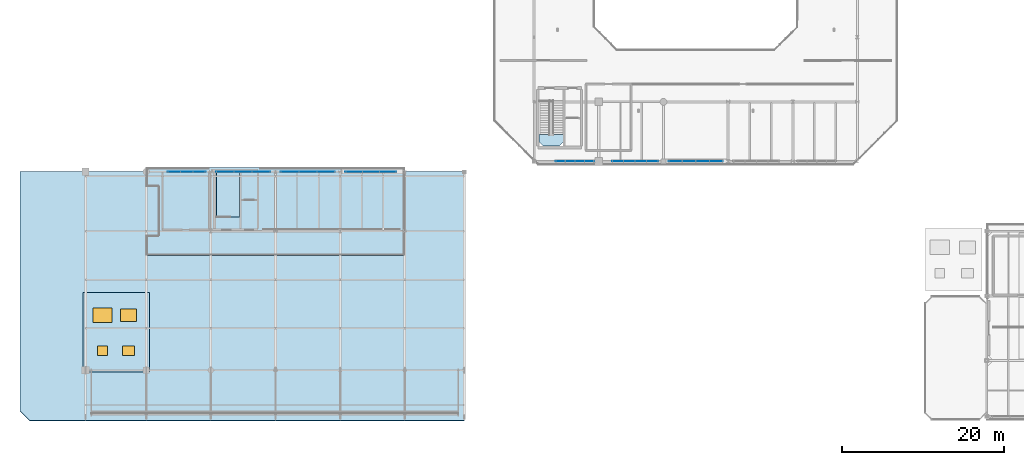
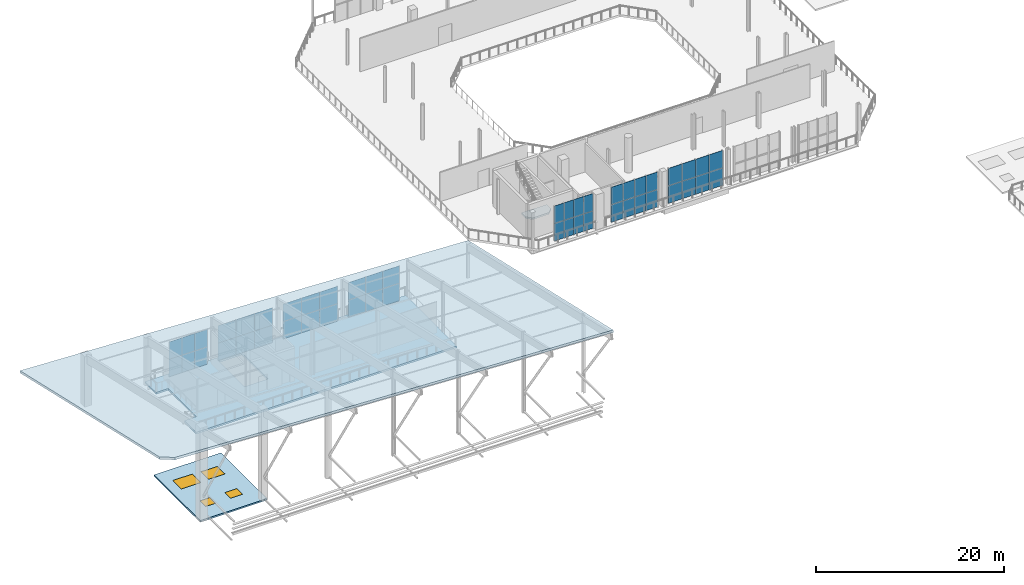
# One storey, part 28 of 51: 48 plates, 4 slabs, 4 windows, 4 openings, 8 elements without a shape of their own.
"""IFC4 building model written with IfcOpenShell, lengths in metres."""

from ifc_helpers import new_model, si_unit, direction, frame, origin, origin_2d, place, context, subcontext, project, spatial, polyline, rectangle, outline, extrude, material, layer, layer_set, type_object, element, fill, aggregate, save


model = new_model("IFC4")

# Units and contexts
model_context = context("Model", 3, precision=1e-05, world=origin(), true_north=direction((0.0, 1.0)))
body_context = subcontext(model_context, "Body", "Model", "MODEL_VIEW")
ifc_project = project(units=[si_unit("LENGTHUNIT", "METRE"), si_unit("AREAUNIT", "SQUARE_METRE"), si_unit("VOLUMEUNIT", "CUBIC_METRE"), si_unit("PLANEANGLEUNIT", "RADIAN"), si_unit("MASSUNIT", "GRAM", prefix="KILO")], contexts=[model_context])

# Site, building, storey
site_placement = place(None, origin())
site = spatial("IfcSite", under=ifc_project, at=site_placement, CompositionType="ELEMENT")
building_placement = place(site_placement, origin())
building = spatial("IfcBuilding", under=site, at=building_placement, Name="Brisemont Oceanarium", CompositionType="ELEMENT")
storey_placement = place(building_placement, frame((0.0, 0.0, 15.0)))
storey = spatial("IfcBuildingStorey", under=building, at=storey_placement, Name="L03", CompositionType="ELEMENT", Elevation=15.0)

# Curtain wall, plates
ifc_material_1 = material(Name="Anodized Extruded Aluminum 6063-T6", Category="aluminium")
curtain_wall_type_1 = type_object("IfcCurtainWallType", Name="CW-CLR-58X36", PredefinedType="NOTDEFINED", material=ifc_material_1)
curtain_wall_1_placement = place(storey_placement, origin())
curtain_wall_1 = element("IfcCurtainWall", 1, at=curtain_wall_1_placement, inside=storey, type_object=curtain_wall_type_1, Name="CW-21 curtain wall CW-V2-N-L03-01", PredefinedType="NOTDEFINED")
ifc_material_2 = material(Name="Ceramic-Fritted Spandrel Glass", Category="glass")
ifc_layer_1 = layer(ifc_material_2, 0.030029296875)
ifc_layer_set_1 = layer_set([ifc_layer_1], Name="Ceramic-Fritted Spandrel Glass")
plate_type_1 = type_object("IfcPlateType", Name="PLT-CWP-S3", PredefinedType="CURTAIN_PANEL", material=ifc_layer_set_1)
plate_1_placement = place(storey_placement, frame((19.433349609375, 31.35009765625, 0.00146484375), z_axis=(0.0, 0.0, 1.0), x_axis=(1.0, 0.0, 0.0)))
plate_1 = element("IfcPlate", 2, at=plate_1_placement, type_object=plate_type_1, Name="CW-V2-N-L03-01 panel 1.1", PredefinedType="CURTAIN_PANEL", context=body_context, shape_type="SweptSolid", body=[
    extrude(rectangle(XDim=1.563720703125, YDim=0.030029296875, at=origin_2d()), origin(), (0.0, 0.0, 1.0), 2.257080078125),
])
plate_2_placement = place(storey_placement, frame((19.433349609375, 31.35009765625, 2.26123046875), z_axis=(0.0, 0.0, 1.0), x_axis=(1.0, 0.0, 0.0)))
plate_2 = element("IfcPlate", 3, at=plate_2_placement, type_object=plate_type_1, Name="CW-V2-N-L03-01 panel 1.2", PredefinedType="CURTAIN_PANEL", context=body_context, shape_type="SweptSolid", body=[
    extrude(rectangle(XDim=1.563720703125, YDim=0.030029296875, at=origin_2d()), origin(), (0.0, 0.0, 1.0), 2.257080078125),
])
plate_3_placement = place(storey_placement, frame((21.0, 31.35009765625, 0.00146484375), z_axis=(0.0, 0.0, 1.0), x_axis=(1.0, 0.0, 0.0)))
plate_3 = element("IfcPlate", 4, at=plate_3_placement, type_object=plate_type_1, Name="CW-V2-N-L03-01 panel 2.1", PredefinedType="CURTAIN_PANEL", context=body_context, shape_type="SweptSolid", body=[
    extrude(rectangle(XDim=1.563720703125, YDim=0.030029296875, at=origin_2d()), origin(), (0.0, 0.0, 1.0), 2.257080078125),
])
plate_4_placement = place(storey_placement, frame((21.0, 31.35009765625, 2.26123046875), z_axis=(0.0, 0.0, 1.0), x_axis=(1.0, 0.0, 0.0)))
plate_4 = element("IfcPlate", 5, at=plate_4_placement, type_object=plate_type_1, Name="CW-V2-N-L03-01 panel 2.2", PredefinedType="CURTAIN_PANEL", context=body_context, shape_type="SweptSolid", body=[
    extrude(rectangle(XDim=1.563720703125, YDim=0.030029296875, at=origin_2d()), origin(), (0.0, 0.0, 1.0), 2.257080078125),
])
plate_5_placement = place(storey_placement, frame((22.566650390625, 31.35009765625, 0.00146484375), z_axis=(0.0, 0.0, 1.0), x_axis=(1.0, 0.0, 0.0)))
plate_5 = element("IfcPlate", 6, at=plate_5_placement, type_object=plate_type_1, Name="CW-V2-N-L03-01 panel 3.1", PredefinedType="CURTAIN_PANEL", context=body_context, shape_type="SweptSolid", body=[
    extrude(rectangle(XDim=1.563720703125, YDim=0.030029296875, at=origin_2d()), origin(), (0.0, 0.0, 1.0), 2.257080078125),
])
plate_6_placement = place(storey_placement, frame((22.566650390625, 31.35009765625, 2.26123046875), z_axis=(0.0, 0.0, 1.0), x_axis=(1.0, 0.0, 0.0)))
plate_6 = element("IfcPlate", 7, at=plate_6_placement, type_object=plate_type_1, Name="CW-V2-N-L03-01 panel 3.2", PredefinedType="CURTAIN_PANEL", context=body_context, shape_type="SweptSolid", body=[
    extrude(rectangle(XDim=1.563720703125, YDim=0.030029296875, at=origin_2d()), origin(), (0.0, 0.0, 1.0), 2.257080078125),
])
aggregate(curtain_wall_1, [plate_1, plate_2, plate_3, plate_4, plate_5, plate_6])

curtain_wall_2_placement = place(storey_placement, origin())
curtain_wall_2 = element("IfcCurtainWall", 8, at=curtain_wall_2_placement, inside=storey, type_object=curtain_wall_type_1, Name="CW-21 curtain wall CW-V2-N-L03-02", PredefinedType="NOTDEFINED")
plate_7_placement = place(storey_placement, frame((25.7666015625, 31.35009765625, 0.00146484375), z_axis=(0.0, 0.0, 1.0), x_axis=(1.0, 0.0, 0.0)))
plate_7 = element("IfcPlate", 9, at=plate_7_placement, type_object=plate_type_1, Name="CW-V2-N-L03-02 panel 1.1", PredefinedType="CURTAIN_PANEL", context=body_context, shape_type="SweptSolid", body=[
    extrude(rectangle(XDim=2.230224609375, YDim=0.030029296875, at=origin_2d()), origin(), (0.0, 0.0, 1.0), 2.257080078125),
])
plate_8_placement = place(storey_placement, frame((25.7666015625, 31.35009765625, 2.26123046875), z_axis=(0.0, 0.0, 1.0), x_axis=(1.0, 0.0, 0.0)))
plate_8 = element("IfcPlate", 10, at=plate_8_placement, type_object=plate_type_1, Name="CW-V2-N-L03-02 panel 1.2", PredefinedType="CURTAIN_PANEL", context=body_context, shape_type="SweptSolid", body=[
    extrude(rectangle(XDim=2.230224609375, YDim=0.030029296875, at=origin_2d()), origin(), (0.0, 0.0, 1.0), 2.257080078125),
])
plate_9_placement = place(storey_placement, frame((28.0, 31.35009765625, 0.00146484375), z_axis=(0.0, 0.0, 1.0), x_axis=(1.0, 0.0, 0.0)))
plate_9 = element("IfcPlate", 11, at=plate_9_placement, type_object=plate_type_1, Name="CW-V2-N-L03-02 panel 2.1", PredefinedType="CURTAIN_PANEL", context=body_context, shape_type="SweptSolid", body=[
    extrude(rectangle(XDim=2.230224609375, YDim=0.030029296875, at=origin_2d()), origin(), (0.0, 0.0, 1.0), 2.257080078125),
])
plate_10_placement = place(storey_placement, frame((28.0, 31.35009765625, 2.26123046875), z_axis=(0.0, 0.0, 1.0), x_axis=(1.0, 0.0, 0.0)))
plate_10 = element("IfcPlate", 12, at=plate_10_placement, type_object=plate_type_1, Name="CW-V2-N-L03-02 panel 2.2", PredefinedType="CURTAIN_PANEL", context=body_context, shape_type="SweptSolid", body=[
    extrude(rectangle(XDim=2.230224609375, YDim=0.030029296875, at=origin_2d()), origin(), (0.0, 0.0, 1.0), 2.257080078125),
])
plate_11_placement = place(storey_placement, frame((30.2333984375, 31.35009765625, 0.00146484375), z_axis=(0.0, 0.0, 1.0), x_axis=(1.0, 0.0, 0.0)))
plate_11 = element("IfcPlate", 13, at=plate_11_placement, type_object=plate_type_1, Name="CW-V2-N-L03-02 panel 3.1", PredefinedType="CURTAIN_PANEL", context=body_context, shape_type="SweptSolid", body=[
    extrude(rectangle(XDim=2.230224609375, YDim=0.030029296875, at=origin_2d()), origin(), (0.0, 0.0, 1.0), 2.257080078125),
])
plate_12_placement = place(storey_placement, frame((30.2333984375, 31.35009765625, 2.26123046875), z_axis=(0.0, 0.0, 1.0), x_axis=(1.0, 0.0, 0.0)))
plate_12 = element("IfcPlate", 14, at=plate_12_placement, type_object=plate_type_1, Name="CW-V2-N-L03-02 panel 3.2", PredefinedType="CURTAIN_PANEL", context=body_context, shape_type="SweptSolid", body=[
    extrude(rectangle(XDim=2.230224609375, YDim=0.030029296875, at=origin_2d()), origin(), (0.0, 0.0, 1.0), 2.257080078125),
])
aggregate(curtain_wall_2, [plate_7, plate_8, plate_9, plate_10, plate_11, plate_12])

curtain_wall_3_placement = place(storey_placement, origin())
curtain_wall_3 = element("IfcCurtainWall", 15, at=curtain_wall_3_placement, inside=storey, type_object=curtain_wall_type_1, Name="CW-21 curtain wall CW-V2-N-L03-03", PredefinedType="NOTDEFINED")
plate_13_placement = place(storey_placement, frame((33.7666015625, 31.35009765625, 0.00146484375), z_axis=(0.0, 0.0, 1.0), x_axis=(1.0, 0.0, 0.0)))
plate_13 = element("IfcPlate", 16, at=plate_13_placement, type_object=plate_type_1, Name="CW-V2-N-L03-03 panel 1.1", PredefinedType="CURTAIN_PANEL", context=body_context, shape_type="SweptSolid", body=[
    extrude(rectangle(XDim=2.230224609375, YDim=0.030029296875, at=origin_2d()), origin(), (0.0, 0.0, 1.0), 2.257080078125),
])
plate_14_placement = place(storey_placement, frame((33.7666015625, 31.35009765625, 2.26123046875), z_axis=(0.0, 0.0, 1.0), x_axis=(1.0, 0.0, 0.0)))
plate_14 = element("IfcPlate", 17, at=plate_14_placement, type_object=plate_type_1, Name="CW-V2-N-L03-03 panel 1.2", PredefinedType="CURTAIN_PANEL", context=body_context, shape_type="SweptSolid", body=[
    extrude(rectangle(XDim=2.230224609375, YDim=0.030029296875, at=origin_2d()), origin(), (0.0, 0.0, 1.0), 2.257080078125),
])
plate_15_placement = place(storey_placement, frame((36.0, 31.35009765625, 0.00146484375), z_axis=(0.0, 0.0, 1.0), x_axis=(1.0, 0.0, 0.0)))
plate_15 = element("IfcPlate", 18, at=plate_15_placement, type_object=plate_type_1, Name="CW-V2-N-L03-03 panel 2.1", PredefinedType="CURTAIN_PANEL", context=body_context, shape_type="SweptSolid", body=[
    extrude(rectangle(XDim=2.230224609375, YDim=0.030029296875, at=origin_2d()), origin(), (0.0, 0.0, 1.0), 2.257080078125),
])
plate_16_placement = place(storey_placement, frame((36.0, 31.35009765625, 2.26123046875), z_axis=(0.0, 0.0, 1.0), x_axis=(1.0, 0.0, 0.0)))
plate_16 = element("IfcPlate", 19, at=plate_16_placement, type_object=plate_type_1, Name="CW-V2-N-L03-03 panel 2.2", PredefinedType="CURTAIN_PANEL", context=body_context, shape_type="SweptSolid", body=[
    extrude(rectangle(XDim=2.230224609375, YDim=0.030029296875, at=origin_2d()), origin(), (0.0, 0.0, 1.0), 2.257080078125),
])
plate_17_placement = place(storey_placement, frame((38.2333984375, 31.35009765625, 0.00146484375), z_axis=(0.0, 0.0, 1.0), x_axis=(1.0, 0.0, 0.0)))
plate_17 = element("IfcPlate", 20, at=plate_17_placement, type_object=plate_type_1, Name="CW-V2-N-L03-03 panel 3.1", PredefinedType="CURTAIN_PANEL", context=body_context, shape_type="SweptSolid", body=[
    extrude(rectangle(XDim=2.230224609375, YDim=0.030029296875, at=origin_2d()), origin(), (0.0, 0.0, 1.0), 2.257080078125),
])
plate_18_placement = place(storey_placement, frame((38.2333984375, 31.35009765625, 2.26123046875), z_axis=(0.0, 0.0, 1.0), x_axis=(1.0, 0.0, 0.0)))
plate_18 = element("IfcPlate", 21, at=plate_18_placement, type_object=plate_type_1, Name="CW-V2-N-L03-03 panel 3.2", PredefinedType="CURTAIN_PANEL", context=body_context, shape_type="SweptSolid", body=[
    extrude(rectangle(XDim=2.230224609375, YDim=0.030029296875, at=origin_2d()), origin(), (0.0, 0.0, 1.0), 2.257080078125),
])
aggregate(curtain_wall_3, [plate_13, plate_14, plate_15, plate_16, plate_17, plate_18])

curtain_wall_4_placement = place(storey_placement, origin())
curtain_wall_4 = element("IfcCurtainWall", 22, at=curtain_wall_4_placement, inside=storey, type_object=curtain_wall_type_1, Name="CW-21 curtain wall CW-V2-N-L03-04", PredefinedType="NOTDEFINED")
plate_19_placement = place(storey_placement, frame((41.699951171875, 31.35009765625, 0.00146484375), z_axis=(0.0, 0.0, 1.0), x_axis=(1.0, 0.0, 0.0)))
plate_19 = element("IfcPlate", 23, at=plate_19_placement, type_object=plate_type_1, Name="CW-V2-N-L03-04 panel 1.1", PredefinedType="CURTAIN_PANEL", context=body_context, shape_type="SweptSolid", body=[
    extrude(rectangle(XDim=2.096923828125, YDim=0.030029296875, at=origin_2d()), origin(), (0.0, 0.0, 1.0), 2.257080078125),
])
plate_20_placement = place(storey_placement, frame((41.699951171875, 31.35009765625, 2.26123046875), z_axis=(0.0, 0.0, 1.0), x_axis=(1.0, 0.0, 0.0)))
plate_20 = element("IfcPlate", 24, at=plate_20_placement, type_object=plate_type_1, Name="CW-V2-N-L03-04 panel 1.2", PredefinedType="CURTAIN_PANEL", context=body_context, shape_type="SweptSolid", body=[
    extrude(rectangle(XDim=2.096923828125, YDim=0.030029296875, at=origin_2d()), origin(), (0.0, 0.0, 1.0), 2.257080078125),
])
plate_21_placement = place(storey_placement, frame((43.800048828125, 31.35009765625, 0.00146484375), z_axis=(0.0, 0.0, 1.0), x_axis=(1.0, 0.0, 0.0)))
plate_21 = element("IfcPlate", 25, at=plate_21_placement, type_object=plate_type_1, Name="CW-V2-N-L03-04 panel 2.1", PredefinedType="CURTAIN_PANEL", context=body_context, shape_type="SweptSolid", body=[
    extrude(rectangle(XDim=2.096923828125, YDim=0.030029296875, at=origin_2d()), origin(), (0.0, 0.0, 1.0), 2.257080078125),
])
plate_22_placement = place(storey_placement, frame((43.800048828125, 31.35009765625, 2.26123046875), z_axis=(0.0, 0.0, 1.0), x_axis=(1.0, 0.0, 0.0)))
plate_22 = element("IfcPlate", 26, at=plate_22_placement, type_object=plate_type_1, Name="CW-V2-N-L03-04 panel 2.2", PredefinedType="CURTAIN_PANEL", context=body_context, shape_type="SweptSolid", body=[
    extrude(rectangle(XDim=2.096923828125, YDim=0.030029296875, at=origin_2d()), origin(), (0.0, 0.0, 1.0), 2.257080078125),
])
plate_23_placement = place(storey_placement, frame((45.89990234375, 31.35009765625, 0.00146484375), z_axis=(0.0, 0.0, 1.0), x_axis=(1.0, 0.0, 0.0)))
plate_23 = element("IfcPlate", 27, at=plate_23_placement, type_object=plate_type_1, Name="CW-V2-N-L03-04 panel 3.1", PredefinedType="CURTAIN_PANEL", context=body_context, shape_type="SweptSolid", body=[
    extrude(rectangle(XDim=2.096923828125, YDim=0.030029296875, at=origin_2d()), origin(), (0.0, 0.0, 1.0), 2.257080078125),
])
plate_24_placement = place(storey_placement, frame((45.89990234375, 31.35009765625, 2.26123046875), z_axis=(0.0, 0.0, 1.0), x_axis=(1.0, 0.0, 0.0)))
plate_24 = element("IfcPlate", 28, at=plate_24_placement, type_object=plate_type_1, Name="CW-V2-N-L03-04 panel 3.2", PredefinedType="CURTAIN_PANEL", context=body_context, shape_type="SweptSolid", body=[
    extrude(rectangle(XDim=2.096923828125, YDim=0.030029296875, at=origin_2d()), origin(), (0.0, 0.0, 1.0), 2.257080078125),
])
aggregate(curtain_wall_4, [plate_19, plate_20, plate_21, plate_22, plate_23, plate_24])

ifc_material_3 = material(Name="Anodized Extruded Aluminum 6063-T6", Category="aluminium")
curtain_wall_type_2 = type_object("IfcCurtainWallType", Name="CW-ROT-69X44", PredefinedType="NOTDEFINED", material=ifc_material_3)
curtain_wall_5_placement = place(storey_placement, origin())
curtain_wall_5 = element("IfcCurtainWall", 29, at=curtain_wall_5_placement, inside=storey, type_object=curtain_wall_type_2, Name="CW-03 curtain wall CW-V1-S-L03-01", PredefinedType="NOTDEFINED")
ifc_material_4 = material(Name="Insulated Low-E Laminated Glass", Category="glass")
ifc_layer_2 = layer(ifc_material_4, 0.028076171875)
ifc_layer_set_2 = layer_set([ifc_layer_2], Name="Insulated Low-E Laminated Glass")
plate_type_2 = type_object("IfcPlateType", Name="PLT-CWP-V3", PredefinedType="CURTAIN_PANEL", material=ifc_layer_set_2)
plate_25_placement = place(storey_placement, frame((67.246337890625, 32.64990234375, 0.00146484375), z_axis=(0.0, 0.0, 1.0), x_axis=(1.0, 0.0, 0.0)))
plate_25 = element("IfcPlate", 30, at=plate_25_placement, type_object=plate_type_2, Name="CW-V1-S-L03-01 panel 1.1", PredefinedType="CURTAIN_PANEL", context=body_context, shape_type="SweptSolid", body=[
    extrude(rectangle(XDim=1.189453125, YDim=0.028076171875, at=origin_2d()), origin(), (0.0, 0.0, 1.0), 2.26708984375),
])
plate_26_placement = place(storey_placement, frame((67.246337890625, 32.64990234375, 2.271484375), z_axis=(0.0, 0.0, 1.0), x_axis=(1.0, 0.0, 0.0)))
plate_26 = element("IfcPlate", 31, at=plate_26_placement, type_object=plate_type_2, Name="CW-V1-S-L03-01 panel 1.2", PredefinedType="CURTAIN_PANEL", context=body_context, shape_type="SweptSolid", body=[
    extrude(rectangle(XDim=1.189453125, YDim=0.028076171875, at=origin_2d()), origin(), (0.0, 0.0, 1.0), 2.26708984375),
])
plate_27_placement = place(storey_placement, frame((68.438720703125, 32.64990234375, 0.00146484375), z_axis=(0.0, 0.0, 1.0), x_axis=(1.0, 0.0, 0.0)))
plate_27 = element("IfcPlate", 32, at=plate_27_placement, type_object=plate_type_2, Name="CW-V1-S-L03-01 panel 2.1", PredefinedType="CURTAIN_PANEL", context=body_context, shape_type="SweptSolid", body=[
    extrude(rectangle(XDim=1.189453125, YDim=0.028076171875, at=origin_2d()), origin(), (0.0, 0.0, 1.0), 2.26708984375),
])
plate_28_placement = place(storey_placement, frame((68.438720703125, 32.64990234375, 2.271484375), z_axis=(0.0, 0.0, 1.0), x_axis=(1.0, 0.0, 0.0)))
plate_28 = element("IfcPlate", 33, at=plate_28_placement, type_object=plate_type_2, Name="CW-V1-S-L03-01 panel 2.2", PredefinedType="CURTAIN_PANEL", context=body_context, shape_type="SweptSolid", body=[
    extrude(rectangle(XDim=1.189453125, YDim=0.028076171875, at=origin_2d()), origin(), (0.0, 0.0, 1.0), 2.26708984375),
])
plate_29_placement = place(storey_placement, frame((69.63134765625, 32.64990234375, 0.00146484375), z_axis=(0.0, 0.0, 1.0), x_axis=(1.0, 0.0, 0.0)))
plate_29 = element("IfcPlate", 34, at=plate_29_placement, type_object=plate_type_2, Name="CW-V1-S-L03-01 panel 3.1", PredefinedType="CURTAIN_PANEL", context=body_context, shape_type="SweptSolid", body=[
    extrude(rectangle(XDim=1.189453125, YDim=0.028076171875, at=origin_2d()), origin(), (0.0, 0.0, 1.0), 2.26708984375),
])
plate_30_placement = place(storey_placement, frame((69.63134765625, 32.64990234375, 2.271484375), z_axis=(0.0, 0.0, 1.0), x_axis=(1.0, 0.0, 0.0)))
plate_30 = element("IfcPlate", 35, at=plate_30_placement, type_object=plate_type_2, Name="CW-V1-S-L03-01 panel 3.2", PredefinedType="CURTAIN_PANEL", context=body_context, shape_type="SweptSolid", body=[
    extrude(rectangle(XDim=1.189453125, YDim=0.028076171875, at=origin_2d()), origin(), (0.0, 0.0, 1.0), 2.26708984375),
])
plate_31_placement = place(storey_placement, frame((70.82373046875, 32.64990234375, 0.00146484375), z_axis=(0.0, 0.0, 1.0), x_axis=(1.0, 0.0, 0.0)))
plate_31 = element("IfcPlate", 36, at=plate_31_placement, type_object=plate_type_2, Name="CW-V1-S-L03-01 panel 4.1", PredefinedType="CURTAIN_PANEL", context=body_context, shape_type="SweptSolid", body=[
    extrude(rectangle(XDim=1.189453125, YDim=0.028076171875, at=origin_2d()), origin(), (0.0, 0.0, 1.0), 2.26708984375),
])
plate_32_placement = place(storey_placement, frame((70.82373046875, 32.64990234375, 2.271484375), z_axis=(0.0, 0.0, 1.0), x_axis=(1.0, 0.0, 0.0)))
plate_32 = element("IfcPlate", 37, at=plate_32_placement, type_object=plate_type_2, Name="CW-V1-S-L03-01 panel 4.2", PredefinedType="CURTAIN_PANEL", context=body_context, shape_type="SweptSolid", body=[
    extrude(rectangle(XDim=1.189453125, YDim=0.028076171875, at=origin_2d()), origin(), (0.0, 0.0, 1.0), 2.26708984375),
])
aggregate(curtain_wall_5, [plate_25, plate_26, plate_27, plate_28, plate_29, plate_30, plate_31, plate_32])

curtain_wall_6_placement = place(storey_placement, origin())
curtain_wall_6 = element("IfcCurtainWall", 38, at=curtain_wall_6_placement, inside=storey, type_object=curtain_wall_type_2, Name="CW-03 curtain wall CW-V1-S-L03-02", PredefinedType="NOTDEFINED")
plate_33_placement = place(storey_placement, frame((74.362548828125, 32.64990234375, 0.00146484375), z_axis=(0.0, 0.0, 1.0), x_axis=(1.0, 0.0, 0.0)))
plate_33 = element("IfcPlate", 39, at=plate_33_placement, type_object=plate_type_2, Name="CW-V1-S-L03-02 panel 1.1", PredefinedType="CURTAIN_PANEL", context=body_context, shape_type="SweptSolid", body=[
    extrude(rectangle(XDim=1.422119140625, YDim=0.028076171875, at=origin_2d()), origin(), (0.0, 0.0, 1.0), 2.26708984375),
])
plate_34_placement = place(storey_placement, frame((74.362548828125, 32.64990234375, 2.271484375), z_axis=(0.0, 0.0, 1.0), x_axis=(1.0, 0.0, 0.0)))
plate_34 = element("IfcPlate", 40, at=plate_34_placement, type_object=plate_type_2, Name="CW-V1-S-L03-02 panel 1.2", PredefinedType="CURTAIN_PANEL", context=body_context, shape_type="SweptSolid", body=[
    extrude(rectangle(XDim=1.422119140625, YDim=0.028076171875, at=origin_2d()), origin(), (0.0, 0.0, 1.0), 2.26708984375),
])
plate_35_placement = place(storey_placement, frame((75.78759765625, 32.64990234375, 0.00146484375), z_axis=(0.0, 0.0, 1.0), x_axis=(1.0, 0.0, 0.0)))
plate_35 = element("IfcPlate", 41, at=plate_35_placement, type_object=plate_type_2, Name="CW-V1-S-L03-02 panel 2.1", PredefinedType="CURTAIN_PANEL", context=body_context, shape_type="SweptSolid", body=[
    extrude(rectangle(XDim=1.422119140625, YDim=0.028076171875, at=origin_2d()), origin(), (0.0, 0.0, 1.0), 2.26708984375),
])
plate_36_placement = place(storey_placement, frame((75.78759765625, 32.64990234375, 2.271484375), z_axis=(0.0, 0.0, 1.0), x_axis=(1.0, 0.0, 0.0)))
plate_36 = element("IfcPlate", 42, at=plate_36_placement, type_object=plate_type_2, Name="CW-V1-S-L03-02 panel 2.2", PredefinedType="CURTAIN_PANEL", context=body_context, shape_type="SweptSolid", body=[
    extrude(rectangle(XDim=1.422119140625, YDim=0.028076171875, at=origin_2d()), origin(), (0.0, 0.0, 1.0), 2.26708984375),
])
plate_37_placement = place(storey_placement, frame((77.21240234375, 32.64990234375, 0.00146484375), z_axis=(0.0, 0.0, 1.0), x_axis=(1.0, 0.0, 0.0)))
plate_37 = element("IfcPlate", 43, at=plate_37_placement, type_object=plate_type_2, Name="CW-V1-S-L03-02 panel 3.1", PredefinedType="CURTAIN_PANEL", context=body_context, shape_type="SweptSolid", body=[
    extrude(rectangle(XDim=1.422119140625, YDim=0.028076171875, at=origin_2d()), origin(), (0.0, 0.0, 1.0), 2.26708984375),
])
plate_38_placement = place(storey_placement, frame((77.21240234375, 32.64990234375, 2.271484375), z_axis=(0.0, 0.0, 1.0), x_axis=(1.0, 0.0, 0.0)))
plate_38 = element("IfcPlate", 44, at=plate_38_placement, type_object=plate_type_2, Name="CW-V1-S-L03-02 panel 3.2", PredefinedType="CURTAIN_PANEL", context=body_context, shape_type="SweptSolid", body=[
    extrude(rectangle(XDim=1.422119140625, YDim=0.028076171875, at=origin_2d()), origin(), (0.0, 0.0, 1.0), 2.26708984375),
])
plate_39_placement = place(storey_placement, frame((78.637451171875, 32.64990234375, 0.00146484375), z_axis=(0.0, 0.0, 1.0), x_axis=(1.0, 0.0, 0.0)))
plate_39 = element("IfcPlate", 45, at=plate_39_placement, type_object=plate_type_2, Name="CW-V1-S-L03-02 panel 4.1", PredefinedType="CURTAIN_PANEL", context=body_context, shape_type="SweptSolid", body=[
    extrude(rectangle(XDim=1.422119140625, YDim=0.028076171875, at=origin_2d()), origin(), (0.0, 0.0, 1.0), 2.26708984375),
])
plate_40_placement = place(storey_placement, frame((78.637451171875, 32.64990234375, 2.271484375), z_axis=(0.0, 0.0, 1.0), x_axis=(1.0, 0.0, 0.0)))
plate_40 = element("IfcPlate", 46, at=plate_40_placement, type_object=plate_type_2, Name="CW-V1-S-L03-02 panel 4.2", PredefinedType="CURTAIN_PANEL", context=body_context, shape_type="SweptSolid", body=[
    extrude(rectangle(XDim=1.422119140625, YDim=0.028076171875, at=origin_2d()), origin(), (0.0, 0.0, 1.0), 2.26708984375),
])
aggregate(curtain_wall_6, [plate_33, plate_34, plate_35, plate_36, plate_37, plate_38, plate_39, plate_40])

curtain_wall_7_placement = place(storey_placement, origin())
curtain_wall_7 = element("IfcCurtainWall", 47, at=curtain_wall_7_placement, inside=storey, type_object=curtain_wall_type_2, Name="CW-03 curtain wall CW-V1-S-L03-03", PredefinedType="NOTDEFINED")
plate_41_placement = place(storey_placement, frame((81.487548828125, 32.64990234375, 0.00146484375), z_axis=(0.0, 0.0, 1.0), x_axis=(1.0, 0.0, 0.0)))
plate_41 = element("IfcPlate", 48, at=plate_41_placement, type_object=plate_type_2, Name="CW-V1-S-L03-03 panel 1.1", PredefinedType="CURTAIN_PANEL", context=body_context, shape_type="SweptSolid", body=[
    extrude(rectangle(XDim=1.672119140625, YDim=0.028076171875, at=origin_2d()), origin(), (0.0, 0.0, 1.0), 2.26708984375),
])
plate_42_placement = place(storey_placement, frame((81.487548828125, 32.64990234375, 2.271484375), z_axis=(0.0, 0.0, 1.0), x_axis=(1.0, 0.0, 0.0)))
plate_42 = element("IfcPlate", 49, at=plate_42_placement, type_object=plate_type_2, Name="CW-V1-S-L03-03 panel 1.2", PredefinedType="CURTAIN_PANEL", context=body_context, shape_type="SweptSolid", body=[
    extrude(rectangle(XDim=1.672119140625, YDim=0.028076171875, at=origin_2d()), origin(), (0.0, 0.0, 1.0), 2.26708984375),
])
plate_43_placement = place(storey_placement, frame((83.16259765625, 32.64990234375, 0.00146484375), z_axis=(0.0, 0.0, 1.0), x_axis=(1.0, 0.0, 0.0)))
plate_43 = element("IfcPlate", 50, at=plate_43_placement, type_object=plate_type_2, Name="CW-V1-S-L03-03 panel 2.1", PredefinedType="CURTAIN_PANEL", context=body_context, shape_type="SweptSolid", body=[
    extrude(rectangle(XDim=1.672119140625, YDim=0.028076171875, at=origin_2d()), origin(), (0.0, 0.0, 1.0), 2.26708984375),
])
plate_44_placement = place(storey_placement, frame((83.16259765625, 32.64990234375, 2.271484375), z_axis=(0.0, 0.0, 1.0), x_axis=(1.0, 0.0, 0.0)))
plate_44 = element("IfcPlate", 51, at=plate_44_placement, type_object=plate_type_2, Name="CW-V1-S-L03-03 panel 2.2", PredefinedType="CURTAIN_PANEL", context=body_context, shape_type="SweptSolid", body=[
    extrude(rectangle(XDim=1.672119140625, YDim=0.028076171875, at=origin_2d()), origin(), (0.0, 0.0, 1.0), 2.26708984375),
])
plate_45_placement = place(storey_placement, frame((84.83740234375, 32.64990234375, 0.00146484375), z_axis=(0.0, 0.0, 1.0), x_axis=(1.0, 0.0, 0.0)))
plate_45 = element("IfcPlate", 52, at=plate_45_placement, type_object=plate_type_2, Name="CW-V1-S-L03-03 panel 3.1", PredefinedType="CURTAIN_PANEL", context=body_context, shape_type="SweptSolid", body=[
    extrude(rectangle(XDim=1.672119140625, YDim=0.028076171875, at=origin_2d()), origin(), (0.0, 0.0, 1.0), 2.26708984375),
])
plate_46_placement = place(storey_placement, frame((84.83740234375, 32.64990234375, 2.271484375), z_axis=(0.0, 0.0, 1.0), x_axis=(1.0, 0.0, 0.0)))
plate_46 = element("IfcPlate", 53, at=plate_46_placement, type_object=plate_type_2, Name="CW-V1-S-L03-03 panel 3.2", PredefinedType="CURTAIN_PANEL", context=body_context, shape_type="SweptSolid", body=[
    extrude(rectangle(XDim=1.672119140625, YDim=0.028076171875, at=origin_2d()), origin(), (0.0, 0.0, 1.0), 2.26708984375),
])
plate_47_placement = place(storey_placement, frame((86.512451171875, 32.64990234375, 0.00146484375), z_axis=(0.0, 0.0, 1.0), x_axis=(1.0, 0.0, 0.0)))
plate_47 = element("IfcPlate", 54, at=plate_47_placement, type_object=plate_type_2, Name="CW-V1-S-L03-03 panel 4.1", PredefinedType="CURTAIN_PANEL", context=body_context, shape_type="SweptSolid", body=[
    extrude(rectangle(XDim=1.672119140625, YDim=0.028076171875, at=origin_2d()), origin(), (0.0, 0.0, 1.0), 2.26708984375),
])
plate_48_placement = place(storey_placement, frame((86.512451171875, 32.64990234375, 2.271484375), z_axis=(0.0, 0.0, 1.0), x_axis=(1.0, 0.0, 0.0)))
plate_48 = element("IfcPlate", 55, at=plate_48_placement, type_object=plate_type_2, Name="CW-V1-S-L03-03 panel 4.2", PredefinedType="CURTAIN_PANEL", context=body_context, shape_type="SweptSolid", body=[
    extrude(rectangle(XDim=1.672119140625, YDim=0.028076171875, at=origin_2d()), origin(), (0.0, 0.0, 1.0), 2.26708984375),
])
aggregate(curtain_wall_7, [plate_41, plate_42, plate_43, plate_44, plate_45, plate_46, plate_47, plate_48])

# Slab
ifc_material_5 = material(Name="Concrete C35/45", Category="concrete")
ifc_layer_3 = layer(ifc_material_5, 0.239990234375)
ifc_layer_set_3 = layer_set([ifc_layer_3], Name="Concrete C35/45")
slab_type_1 = type_object("IfcSlabType", Name="SLB-FLR-240", PredefinedType="FLOOR", material=ifc_layer_set_3)
slab_1_placement = place(storey_placement, frame((0.0, 0.0, -0.239990234375)))
element("IfcSlab", 56, at=slab_1_placement, inside=storey, type_object=slab_type_1, Name="V2 L03 floor slab", PredefinedType="FLOOR", context=body_context, shape_type="SweptSolid", body=[
    extrude(outline(polyline([(16.0, 21.0), (48.0, 21.0), (48.0, 31.85009765625), (16.0, 31.85009765625), (16.0, 29.5), (17.5, 29.5), (17.5, 23.5), (16.0, 23.5), (16.0, 21.0)]), holes=[polyline([(24.669921875, 25.739990234375), (27.570068359375, 25.739990234375), (27.570068359375, 31.280029296875), (24.669921875, 31.280029296875), (24.669921875, 25.739990234375)])]), origin(), (0.0, 0.0, 1.0), 0.239990234375),
])

# Stair, slab
ifc_material_6 = material(Name="Concrete C40/50", Category="concrete")
stair_type = type_object("IfcStairType", Name="STR-CORE-124-48", PredefinedType="HALF_TURN_STAIR", material=ifc_material_6)
stair_placement = place(storey_placement, origin())
stair = element("IfcStair", 57, at=stair_placement, inside=storey, type_object=stair_type, Name="Exit stair ST-01 L03 to L04", PredefinedType="HALF_TURN_STAIR")
ifc_material_7 = material(Name="Concrete C40/50", Category="concrete")
ifc_layer_4 = layer(ifc_material_7, 0.219970703125)
ifc_layer_set_4 = layer_set([ifc_layer_4], Name="Concrete C40/50")
slab_type_2 = type_object("IfcSlabType", Name="SLB-LANDING-220", PredefinedType="LANDING", material=ifc_layer_set_4)
slab_2_placement = place(storey_placement, frame((0.0, 0.0, 2.179931640625)))
slab_2 = element("IfcSlab", 58, at=slab_2_placement, type_object=slab_type_2, Name="ST-01 L03 half-landing", PredefinedType="LANDING", context=body_context, shape_type="SweptSolid", body=[
    extrude(outline(polyline([(65.1201171875, 34.530029296875), (67.10009765625, 34.530029296875), (67.64990234375, 35.080078125), (67.64990234375, 35.9599609375), (64.570068359375, 35.9599609375), (64.570068359375, 35.080078125), (65.1201171875, 34.530029296875)])), origin(), (0.0, 0.0, 1.0), 0.219970703125),
])
aggregate(stair, [slab_2])

# Slab, openings, windows
ifc_material_8 = material(Name="Concrete C35/45", Category="concrete")
ifc_layer_5 = layer(ifc_material_8, 0.199951171875)
ifc_layer_set_5 = layer_set([ifc_layer_5], Name="Concrete C35/45")
slab_type_3 = type_object("IfcSlabType", Name="SLB-RF-200", PredefinedType="ROOF", material=ifc_layer_set_5)
slab_3_placement = place(storey_placement, frame((0.0, 0.0, -0.199951171875)))
slab_3 = element("IfcSlab", 59, at=slab_3_placement, inside=storey, type_object=slab_type_3, Name="V2S L03 roof slab", PredefinedType="ROOF", context=body_context, shape_type="SweptSolid", body=[
    extrude(outline(polyline([(8.199951171875, 6.60009765625), (16.39990234375, 6.60009765625), (16.39990234375, 16.39990234375), (8.199951171875, 16.39990234375), (8.199951171875, 6.60009765625)])), origin(), (0.0, 0.0, 1.0), 0.199951171875),
])
opening_1_placement = place(slab_3_placement, frame((10.60009765625, 9.199951171875, 0.0)))
opening_1 = element("IfcOpeningElement", 60, at=opening_1_placement, cuts=slab_3, Name="Opening SKL-01", PredefinedType="OPENING", context=body_context, shape_type="SweptSolid", body=[
    extrude(rectangle(XDim=1.199951171875, YDim=1.199951171875, at=origin_2d()), origin(), (0.0, 0.0, 1.0), 0.199951171875),
])
opening_2_placement = place(slab_3_placement, frame((13.800048828125, 9.199951171875, 0.0)))
opening_2 = element("IfcOpeningElement", 61, at=opening_2_placement, cuts=slab_3, Name="Opening SKL-02", PredefinedType="OPENING", context=body_context, shape_type="SweptSolid", body=[
    extrude(rectangle(XDim=1.5, YDim=1.199951171875, at=origin_2d()), origin(), (0.0, 0.0, 1.0), 0.199951171875),
])
opening_3_placement = place(slab_3_placement, frame((10.60009765625, 13.60009765625, 0.0)))
opening_3 = element("IfcOpeningElement", 62, at=opening_3_placement, cuts=slab_3, Name="Opening SKL-03", PredefinedType="OPENING", context=body_context, shape_type="SweptSolid", body=[
    extrude(rectangle(XDim=2.39990234375, YDim=1.800048828125, at=origin_2d()), origin(), (0.0, 0.0, 1.0), 0.199951171875),
])
opening_4_placement = place(slab_3_placement, frame((13.800048828125, 13.60009765625, 0.0)))
opening_4 = element("IfcOpeningElement", 63, at=opening_4_placement, cuts=slab_3, Name="Opening SKL-04", PredefinedType="OPENING", context=body_context, shape_type="SweptSolid", body=[
    extrude(rectangle(XDim=2.0, YDim=1.60009765625, at=origin_2d()), origin(), (0.0, 0.0, 1.0), 0.199951171875),
])
ifc_material_9 = material(Name="Insulated Low-E Laminated Glass", Category="glass")
window_type_1 = type_object("IfcWindowType", Name="SKY-HATCH-1200X1200", PartitioningType="SINGLE_PANEL", PredefinedType="SKYLIGHT", material=ifc_material_9)
window_1_placement = place(opening_1_placement, frame((0.0, 0.0, 0.14990234375)))
window_1 = element("IfcWindow", 64, at=window_1_placement, inside=storey, type_object=window_type_1, Name="SKL-01 gallery setback roof skylight 1", OverallHeight=1.199951171875, OverallWidth=1.199951171875, PartitioningType="SINGLE_PANEL", PredefinedType="SKYLIGHT", context=body_context, shape_type="SweptSolid", body=[
    extrude(rectangle(XDim=1.199951171875, YDim=1.199951171875, at=origin_2d()), origin(), (0.0, 0.0, 1.0), 0.050048828125),
])
fill(opening_1, window_1)
ifc_material_10 = material(Name="Insulated Low-E Laminated Glass", Category="glass")
window_type_2 = type_object("IfcWindowType", Name="SKY-HATCH-1500X1200", PartitioningType="SINGLE_PANEL", PredefinedType="SKYLIGHT", material=ifc_material_10)
window_2_placement = place(opening_2_placement, frame((0.0, 0.0, 0.14990234375)))
window_2 = element("IfcWindow", 65, at=window_2_placement, inside=storey, type_object=window_type_2, Name="SKL-02 gallery setback roof skylight 2", OverallHeight=1.199951171875, OverallWidth=1.5, PartitioningType="SINGLE_PANEL", PredefinedType="SKYLIGHT", context=body_context, shape_type="SweptSolid", body=[
    extrude(rectangle(XDim=1.5, YDim=1.199951171875, at=origin_2d()), origin(), (0.0, 0.0, 1.0), 0.050048828125),
])
fill(opening_2, window_2)
ifc_material_11 = material(Name="Insulated Low-E Laminated Glass", Category="glass")
window_type_3 = type_object("IfcWindowType", Name="SKY-LANTERN-2000X1600", PartitioningType="SINGLE_PANEL", PredefinedType="SKYLIGHT", material=ifc_material_11)
window_3_placement = place(opening_4_placement, frame((0.0, 0.0, 0.14990234375)))
window_3 = element("IfcWindow", 66, at=window_3_placement, inside=storey, type_object=window_type_3, Name="SKL-04 gallery setback roof skylight 4", OverallHeight=1.60009765625, OverallWidth=2.0, PartitioningType="SINGLE_PANEL", PredefinedType="SKYLIGHT", context=body_context, shape_type="SweptSolid", body=[
    extrude(rectangle(XDim=2.0, YDim=1.60009765625, at=origin_2d()), origin(), (0.0, 0.0, 1.0), 0.050048828125),
])
fill(opening_4, window_3)
ifc_material_12 = material(Name="Insulated Low-E Laminated Glass", Category="glass")
window_type_4 = type_object("IfcWindowType", Name="SKY-LANTERN-2400X1800", PartitioningType="SINGLE_PANEL", PredefinedType="SKYLIGHT", material=ifc_material_12)
window_4_placement = place(opening_3_placement, frame((0.0, 0.0, 0.14990234375)))
window_4 = element("IfcWindow", 67, at=window_4_placement, inside=storey, type_object=window_type_4, Name="SKL-03 gallery setback roof skylight 3", OverallHeight=1.800048828125, OverallWidth=2.39990234375, PartitioningType="SINGLE_PANEL", PredefinedType="SKYLIGHT", context=body_context, shape_type="SweptSolid", body=[
    extrude(rectangle(XDim=2.39990234375, YDim=1.800048828125, at=origin_2d()), origin(), (0.0, 0.0, 1.0), 0.050048828125),
])
fill(opening_3, window_4)

# Slab
ifc_material_13 = material(Name="Concrete C35/45", Category="concrete")
ifc_layer_6 = layer(ifc_material_13, 0.280029296875)
ifc_layer_set_6 = layer_set([ifc_layer_6], Name="Concrete C35/45")
slab_type_4 = type_object("IfcSlabType", Name="SLB-RF-280", PredefinedType="ROOF", material=ifc_layer_set_6)
slab_4_placement = place(storey_placement, frame((0.39990234375, 1.800048828125, 13.92529296875), z_axis=(0.041611496415, 0.222935249574, 0.973944740662), x_axis=(0.701131217188, -0.700988398791, 0.130500118945)))
element("IfcSlab", 68, at=slab_4_placement, inside=storey, type_object=slab_type_4, Name="V2 upswept single-pitched hall roof slab", PredefinedType="ROOF", context=body_context, shape_type="SweptSolid", body=[
    extrude(outline(polyline([(0.0, 0.0), (1.7117984991673594, -1.1102230246251565e-16), (39.13255556084492, 38.7219500242081), (16.6222175792465, 60.89436173834699), (-21.633343202821592, 21.308582968764018), (0.0, 0.0)])), origin(), (0.0, 0.0, -1.0), 0.280029296875),
])

save(model, "model.ifc")
